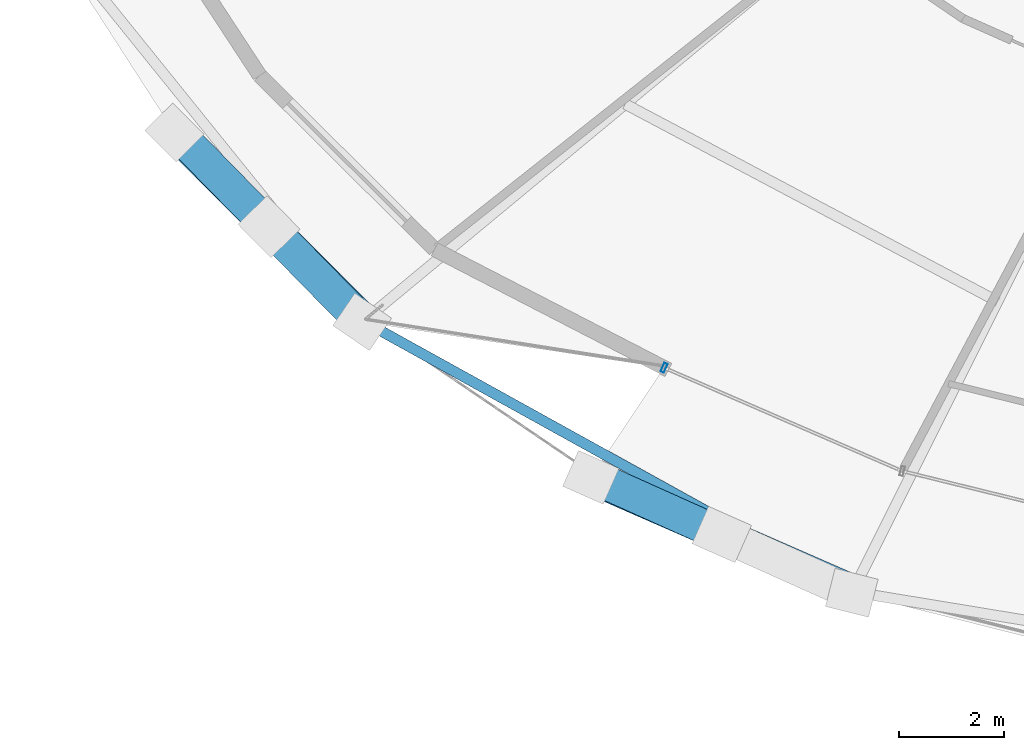
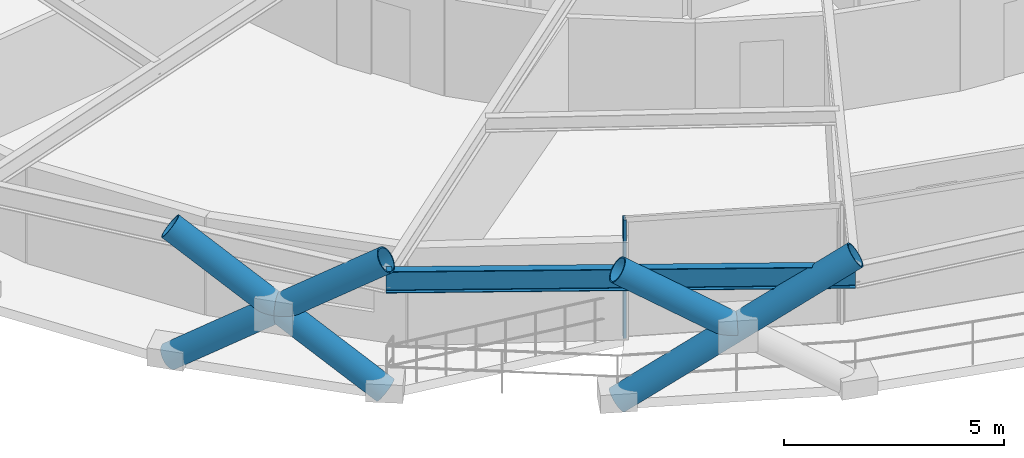
# One storey, part 1 of 21: 6 members, 1 beam, 1 element without a shape of its own.
"""IFC4 building model written with IfcOpenShell, lengths in metres."""

from ifc_helpers import new_model, si_unit, direction, frame, origin, origin_2d, place, context, subcontext, project, spatial, hollow_rectangle, hollow_circle, i_section, extrude, material, layer, layer_set, material_profile, profile_set, type_object, element, aggregate, save


model = new_model("IFC4")

# Units and contexts
model_context = context("Model", 3, precision=1e-05, world=origin(), true_north=direction((0.0, 1.0)))
body_context = subcontext(model_context, "Body", "Model", "MODEL_VIEW")
ifc_project = project(units=[si_unit("LENGTHUNIT", "METRE"), si_unit("AREAUNIT", "SQUARE_METRE"), si_unit("VOLUMEUNIT", "CUBIC_METRE"), si_unit("PLANEANGLEUNIT", "RADIAN"), si_unit("MASSUNIT", "GRAM", prefix="KILO")], contexts=[model_context])

# Site, building, storey
site_placement = place(None, origin())
site = spatial("IfcSite", under=ifc_project, at=site_placement, CompositionType="ELEMENT")
building_placement = place(site_placement, origin())
building = spatial("IfcBuilding", under=site, at=building_placement, Name="Veldorina Hangang Commons", CompositionType="ELEMENT")
storey_placement = place(building_placement, frame((0.0, 0.0, 98.800048828125)))
storey = spatial("IfcBuildingStorey", under=building, at=storey_placement, Name="L25", CompositionType="ELEMENT", Elevation=98.800048828125)

# Beam
ifc_material_1 = material(Name="Steel SM420-TMC", Category="steel")
ifc_material_profile_1 = material_profile(ifc_material_1, i_section(OverallWidth=0.199951171875, OverallDepth=0.60009765625, WebThickness=0.010986328125, FlangeThickness=0.01708984375, FilletRadius=0.01806640625, at=origin_2d()), Name="H-600x200x11x17")
ifc_profile_set_1 = profile_set([ifc_material_profile_1], Name="Steel SM420-TMC")
beam_type = type_object("IfcBeamType", Name="BM-RB600", PredefinedType="BEAM", material=ifc_profile_set_1)
beam_placement = place(storey_placement, frame((11.61767578125, 7.115966796875, 3.0400390625), z_axis=(0.874916885273, -0.484273108756, 0.0), x_axis=(0.484273108756, 0.874916885273, 0.0)))
element("IfcBeam", 1, at=beam_placement, inside=storey, type_object=beam_type, Name="L25 perimeter hoop ring beam 20", PredefinedType="BEAM", context=body_context, shape_type="SweptSolid", body=[
    extrude(i_section(OverallWidth=0.199951171875, OverallDepth=0.60009765625, WebThickness=0.010986328125, FlangeThickness=0.01708984375, FilletRadius=0.01806640625, at=origin_2d()), origin(), (0.0, 0.0, 1.0), 10.688232421875),
])

# Curtain wall, member
ifc_material_2 = material(Name="Glass Low-E Triple IGU", Category="glass")
ifc_layer = layer(ifc_material_2, 0.179931640625)
ifc_layer_set = layer_set([ifc_layer], Name="Glass Low-E Triple IGU")
curtain_wall_type = type_object("IfcCurtainWallType", Name="CW-SYS-Z1", PredefinedType="NOTDEFINED", material=ifc_layer_set)
curtain_wall_placement = place(storey_placement, origin())
curtain_wall = element("IfcCurtainWall", 2, at=curtain_wall_placement, inside=storey, type_object=curtain_wall_type, Name="L25 unitised curtain wall CW-L25-R1", PredefinedType="NOTDEFINED")
ifc_material_3 = material(Name="Aluminium Anodized AA6063-T6", Category="aluminium")
ifc_material_profile_2 = material_profile(ifc_material_3, hollow_rectangle(XDim=0.070068359375, YDim=0.179931640625, WallThickness=0.00390625, at=origin_2d()), Name="ALU-RHS-180x70x4")
ifc_profile_set_2 = profile_set([ifc_material_profile_2], Name="Aluminium Anodized AA6063-T6")
member_type_1 = type_object("IfcMemberType", Name="CW-MUL-180", PredefinedType="MULLION", material=ifc_profile_set_2)
member_1_placement = place(storey_placement, frame((17.369140625, 6.224365234375, 0.0), z_axis=(0.0, 0.0, 1.0), x_axis=(0.917359073914, -0.398060710832, 0.0)))
member_1 = element("IfcMember", 3, at=member_1_placement, type_object=member_type_1, Name="CW-L25-R1 vertical mullion 1", PredefinedType="MULLION", context=body_context, shape_type="SweptSolid", body=[
    extrude(hollow_rectangle(XDim=0.070068359375, YDim=0.179931640625, WallThickness=0.00390625, at=origin_2d()), origin(), (0.0, 0.0, 1.0), 3.300048828125),
])
aggregate(curtain_wall, [member_1])

# Members
ifc_material_4 = material(Name="Steel SM460-TMC", Category="steel")
ifc_material_profile_3 = material_profile(ifc_material_4, hollow_circle(Radius=0.324951171875, WallThickness=0.031982421875, at=origin_2d()), Name="CHS-650x32")
ifc_profile_set_3 = profile_set([ifc_material_profile_3], Name="Steel SM460-TMC")
member_type_2 = type_object("IfcMemberType", Name="DG-CHS650", PredefinedType="BRACE", material=ifc_profile_set_3)
member_2_placement = place(storey_placement, frame((8.0078125, 10.72265625, 0.0), z_axis=(0.578613430818, -0.577049822033, 0.5763852883), x_axis=(0.706149421574, 0.708062846371, 0.0)))
element("IfcMember", 4, at=member_2_placement, inside=storey, type_object=member_type_2, Name="L25 continuous perimeter diagrid brace 19", PredefinedType="BRACE", context=body_context, shape_type="SweptSolid", body=[
    extrude(hollow_circle(Radius=0.324951171875, WallThickness=0.031982421875, at=origin_2d()), origin(), (0.0, 0.0, 1.0), 6.24560546875),
])
member_3_placement = place(storey_placement, frame((11.596435546875, 7.101318359375, 0.0), z_axis=(-0.57114328786, 0.58320197532, 0.577642450582), x_axis=(-0.71445447996, -0.699681924924, 0.0)))
element("IfcMember", 5, at=member_3_placement, inside=storey, type_object=member_type_2, Name="L25 split perimeter diagrid lower brace 20", PredefinedType="BRACE", context=body_context, shape_type="SweptSolid", body=[
    extrude(hollow_circle(Radius=0.324951171875, WallThickness=0.031982421875, at=origin_2d()), origin(), (0.0, 0.0, 1.0), 3.117919921875),
])
member_4_placement = place(storey_placement, frame((9.815673828125, 8.919677734375, 1.801025390625), z_axis=(-0.571004506302, 0.583390381096, 0.577589401762), x_axis=(-0.714652424111, -0.699479744319, 0.0)))
element("IfcMember", 6, at=member_4_placement, inside=storey, type_object=member_type_2, Name="L25 split perimeter diagrid upper brace 20", PredefinedType="BRACE", context=body_context, shape_type="SweptSolid", body=[
    extrude(hollow_circle(Radius=0.324951171875, WallThickness=0.031982421875, at=origin_2d()), origin(), (0.0, 0.0, 1.0), 3.1142578125),
])
member_5_placement = place(storey_placement, frame((15.968994140625, 4.129150390625, 0.0), z_axis=(0.764987730246, -0.334236427408, 0.550526823294), x_axis=(0.40037066467, 0.91635327842, 0.0)))
element("IfcMember", 7, at=member_5_placement, inside=storey, type_object=member_type_2, Name="L25 continuous perimeter diagrid brace 21", PredefinedType="BRACE", context=body_context, shape_type="SweptSolid", body=[
    extrude(hollow_circle(Radius=0.324951171875, WallThickness=0.031982421875, at=origin_2d()), origin(), (0.0, 0.0, 1.0), 6.538818359375),
])
member_6_placement = place(storey_placement, frame((18.4716796875, 3.03564453125, 1.801025390625), z_axis=(-0.761125864052, 0.341496294756, 0.551423339856), x_axis=(-0.409357261843, -0.912374173339, 0.0)))
element("IfcMember", 8, at=member_6_placement, inside=storey, type_object=member_type_2, Name="L25 split perimeter diagrid upper brace 22", PredefinedType="BRACE", context=body_context, shape_type="SweptSolid", body=[
    extrude(hollow_circle(Radius=0.324951171875, WallThickness=0.031982421875, at=origin_2d()), origin(), (0.0, 0.0, 1.0), 3.26220703125),
])

save(model, "model.ifc")
